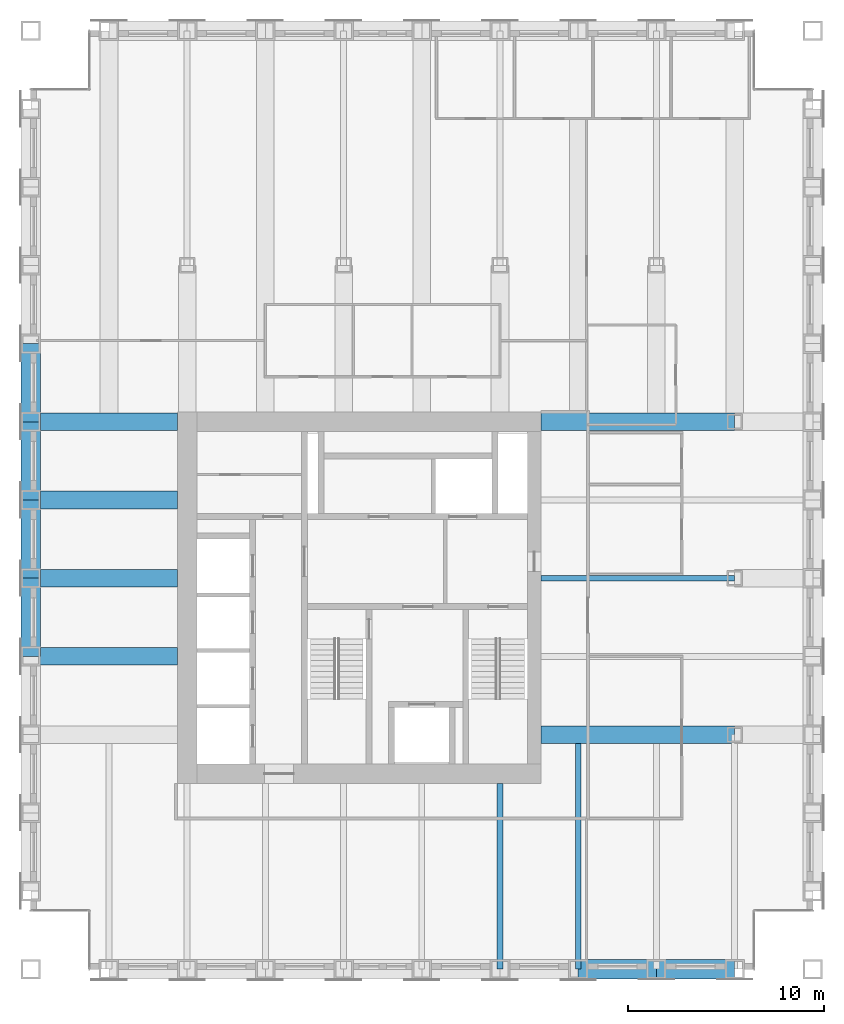
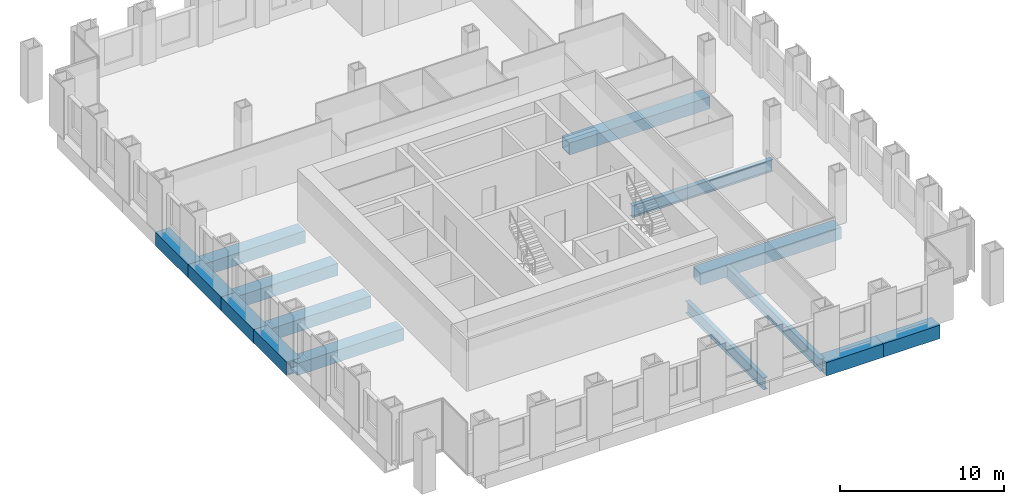
# One storey, part 3 of 13: 15 beams.
"""IFC4 building model written with IfcOpenShell, lengths in metres."""

from ifc_helpers import new_model, si_unit, direction, frame, origin, origin_2d, place, context, subcontext, project, spatial, hollow_rectangle, i_section, extrude, material, material_profile, profile_set, type_object, element, save


model = new_model("IFC4")

# Units and contexts
model_context = context("Model", 3, precision=1e-05, world=origin(), true_north=direction((0.0, 1.0)))
body_context = subcontext(model_context, "Body", "Model", "MODEL_VIEW")
ifc_project = project(units=[si_unit("LENGTHUNIT", "METRE"), si_unit("AREAUNIT", "SQUARE_METRE"), si_unit("VOLUMEUNIT", "CUBIC_METRE"), si_unit("PLANEANGLEUNIT", "RADIAN"), si_unit("MASSUNIT", "GRAM", prefix="KILO")], contexts=[model_context])

# Site, building, storey
site_placement = place(None, origin())
site = spatial("IfcSite", under=ifc_project, at=site_placement, CompositionType="ELEMENT")
building_placement = place(site_placement, origin())
building = spatial("IfcBuilding", under=site, at=building_placement, Name="Rimbunsela Tower", CompositionType="ELEMENT")
storey_placement = place(building_placement, frame((0.0, 0.0, 222.199951171875)))
storey = spatial("IfcBuildingStorey", under=building, at=storey_placement, Name="L53", CompositionType="ELEMENT", Elevation=222.199951171875)

# Beams
ifc_material_1 = material(Name="Steel BJ 55 (fy 410 MPa)", Category="steel")
ifc_material_profile_1 = material_profile(ifc_material_1, hollow_rectangle(XDim=1.0, YDim=1.0, WallThickness=0.10009765625, at=origin_2d()), Name="BOX 1000x1000x100")
ifc_profile_set_1 = profile_set([ifc_material_profile_1], Name="Steel BJ 55 (fy 410 MPa)")
beam_type_1 = type_object("IfcBeamType", Name="Beam BOX 1000x1000x100", PredefinedType="BEAM", material=ifc_profile_set_1)
for number, where, z_axis, x_axis, name in (
    (1, (10.0, 24.0, -0.64990234375), (0.0, 1.0, 0.0), (-1.0, 0.0, 0.0), "Beam B3 L53"),
    (2, (10.0, 28.0, -0.64990234375), (0.0, 1.0, 0.0), (-1.0, 0.0, 0.0), "Beam B3 L53"),
    (3, (10.0, 32.0, -0.64990234375), (0.0, 1.0, 0.0), (-1.0, 0.0, 0.0), "Beam B3 L53"),
    (4, (10.0, 36.0, -0.64990234375), (0.0, 1.0, 0.0), (-1.0, 0.0, 0.0), "Beam B3 L53"),
    (5, (38.0, 8.0, -0.64990234375), (1.0, 0.0, 0.0), (0.0, 1.0, 0.0), "Beam B3 L53"),
    (6, (42.0, 8.0, -0.64990234375), (1.0, 0.0, 0.0), (0.0, 1.0, 0.0), "Beam B3 L53"),
):
    element("IfcBeam", number, at=place(storey_placement, frame(where, z_axis=z_axis, x_axis=x_axis)), inside=storey, type_object=beam_type_1, Name=name, PredefinedType="BEAM", context=body_context, shape_type="SweptSolid", body=[
        extrude(hollow_rectangle(XDim=1.0, YDim=1.0, WallThickness=0.10009765625, at=origin_2d()), origin(), (0.0, 0.0, 1.0), 4.0),
    ])
ifc_material_2 = material(Name="Steel BJ 55 (fy 410 MPa)", Category="steel")
ifc_material_profile_2 = material_profile(ifc_material_2, hollow_rectangle(XDim=0.89990234375, YDim=0.89990234375, WallThickness=0.06005859375, at=origin_2d()), Name="BOX 900x900x60")
ifc_profile_set_2 = profile_set([ifc_material_profile_2], Name="Steel BJ 55 (fy 410 MPa)")
beam_type_2 = type_object("IfcBeamType", Name="Beam BOX 900x900x60", PredefinedType="BEAM", material=ifc_profile_set_2)
for number, where, z_axis, x_axis, name in (
    (7, (10.0, 24.0, -0.599853515625), (1.0, 0.0, 0.0), (0.0, 1.0, 0.0), "Beam B1 L53"),
    (8, (10.0, 28.0, -0.599853515625), (1.0, 0.0, 0.0), (0.0, 1.0, 0.0), "Beam B1 L53"),
    (9, (10.0, 32.0, -0.599853515625), (1.0, 0.0, 0.0), (0.0, 1.0, 0.0), "Beam B1 L53"),
    (10, (10.0, 36.0, -0.599853515625), (1.0, 0.0, 0.0), (0.0, 1.0, 0.0), "Beam B1 L53"),
):
    element("IfcBeam", number, at=place(storey_placement, frame(where, z_axis=z_axis, x_axis=x_axis)), inside=storey, type_object=beam_type_2, Name=name, PredefinedType="BEAM", context=body_context, shape_type="SweptSolid", body=[
        extrude(hollow_rectangle(XDim=0.89990234375, YDim=0.89990234375, WallThickness=0.06005859375, at=origin_2d()), origin(), (0.0, 0.0, 1.0), 7.5),
    ])
for number, where, z_axis, x_axis, name in (
    (11, (36.10009765625, 20.0, -0.599853515625), (1.0, 0.0, 0.0), (0.0, 1.0, 0.0), "Beam B1 L53"),
    (12, (36.10009765625, 36.0, -0.599853515625), (1.0, 0.0, 0.0), (0.0, 1.0, 0.0), "Beam B1 L53"),
):
    element("IfcBeam", number, at=place(storey_placement, frame(where, z_axis=z_axis, x_axis=x_axis)), inside=storey, type_object=beam_type_2, Name=name, PredefinedType="BEAM", context=body_context, shape_type="SweptSolid", body=[
        extrude(hollow_rectangle(XDim=0.89990234375, YDim=0.89990234375, WallThickness=0.06005859375, at=origin_2d()), origin(), (0.0, 0.0, 1.0), 9.89990234375),
    ])
ifc_material_3 = material(Name="Steel BJ 55 (fy 410 MPa)", Category="steel")
ifc_material_profile_3 = material_profile(ifc_material_3, i_section(OverallWidth=0.300048828125, OverallDepth=0.89990234375, WebThickness=0.01611328125, FlangeThickness=0.028076171875, FilletRadius=0.028076171875, at=origin_2d()), Name="H 900x300x16x28")
ifc_profile_set_3 = profile_set([ifc_material_profile_3], Name="Steel BJ 55 (fy 410 MPa)")
beam_type_3 = type_object("IfcBeamType", Name="Beam H 900x300x16x28", PredefinedType="BEAM", material=ifc_profile_set_3)
beam_1_placement = place(storey_placement, frame((34.0, 8.0, -0.599853515625), z_axis=(0.0, 1.0, 0.0), x_axis=(-1.0, 0.0, 0.0)))
element("IfcBeam", 13, at=beam_1_placement, inside=storey, type_object=beam_type_3, Name="Beam B2 L53", PredefinedType="BEAM", context=body_context, shape_type="SweptSolid", body=[
    extrude(i_section(OverallWidth=0.300048828125, OverallDepth=0.89990234375, WebThickness=0.01611328125, FlangeThickness=0.028076171875, FilletRadius=0.028076171875, at=origin_2d()), origin(), (0.0, 0.0, 1.0), 9.5),
])
beam_2_placement = place(storey_placement, frame((36.10009765625, 28.0, -0.599853515625), z_axis=(1.0, 0.0, 0.0), x_axis=(0.0, 1.0, 0.0)))
element("IfcBeam", 14, at=beam_2_placement, inside=storey, type_object=beam_type_3, Name="Beam B2 L53", PredefinedType="BEAM", context=body_context, shape_type="SweptSolid", body=[
    extrude(i_section(OverallWidth=0.300048828125, OverallDepth=0.89990234375, WebThickness=0.01611328125, FlangeThickness=0.028076171875, FilletRadius=0.028076171875, at=origin_2d()), origin(), (0.0, 0.0, 1.0), 9.89990234375),
])
beam_3_placement = place(storey_placement, frame((38.0, 8.0, -0.599853515625), z_axis=(0.0, 1.0, 0.0), x_axis=(-1.0, 0.0, 0.0)))
element("IfcBeam", 15, at=beam_3_placement, inside=storey, type_object=beam_type_3, Name="Beam B2 L53", PredefinedType="BEAM", context=body_context, shape_type="SweptSolid", body=[
    extrude(i_section(OverallWidth=0.300048828125, OverallDepth=0.89990234375, WebThickness=0.01611328125, FlangeThickness=0.028076171875, FilletRadius=0.028076171875, at=origin_2d()), origin(), (0.0, 0.0, 1.0), 11.550048828125),
])

save(model, "model.ifc")
